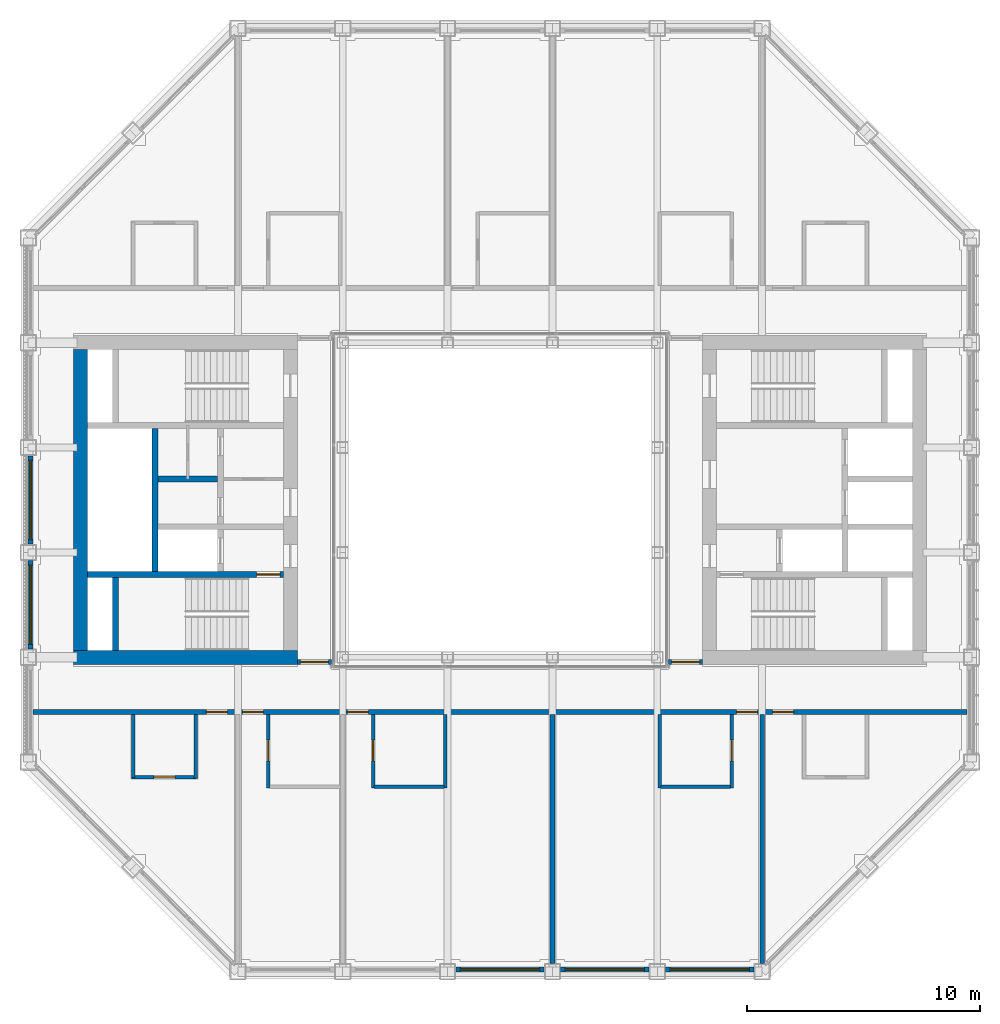
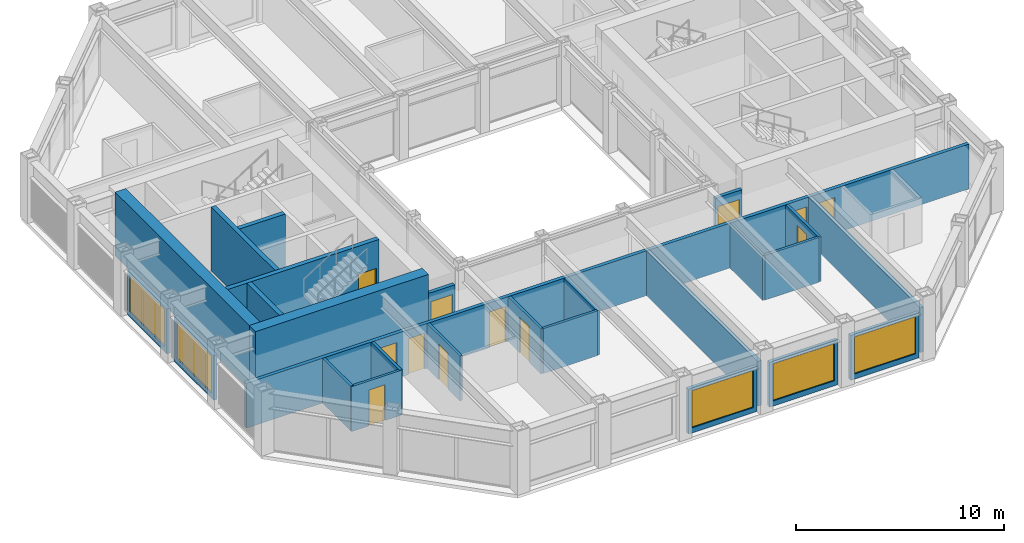
# One storey, part 9 of 16: 26 walls, 12 doors, 5 windows, 17 openings.
"""IFC4 building model written with IfcOpenShell, lengths in metres."""

from ifc_helpers import new_model, si_unit, direction, frame, frame_2d, origin, place, context, subcontext, project, spatial, rectangle, extrude, material, layer, layer_set, type_object, element, fill, save


model = new_model("IFC4")

# Units and contexts
model_context = context("Model", 3, precision=1e-05, world=origin(), true_north=direction((0.0, 1.0)))
body_context = subcontext(model_context, "Body", "Model", "MODEL_VIEW")
ifc_project = project(units=[si_unit("LENGTHUNIT", "METRE"), si_unit("AREAUNIT", "SQUARE_METRE"), si_unit("VOLUMEUNIT", "CUBIC_METRE"), si_unit("PLANEANGLEUNIT", "RADIAN"), si_unit("MASSUNIT", "GRAM", prefix="KILO")], contexts=[model_context])

# Site, building, storey
site_placement = place(None, origin())
site = spatial("IfcSite", under=ifc_project, at=site_placement, CompositionType="ELEMENT")
building_placement = place(site_placement, origin())
building = spatial("IfcBuilding", under=site, at=building_placement, Name="Msasa Ring Tower", CompositionType="ELEMENT")
storey_placement = place(building_placement, frame((0.0, 0.0, 219.550048828125)))
storey = spatial("IfcBuildingStorey", under=building, at=storey_placement, Name="L57", CompositionType="ELEMENT", Elevation=219.550048828125)

# Walls
ifc_material_1 = material(Name="Concrete C60/75", Category="concrete")
ifc_layer_1 = layer(ifc_material_1, 0.60009765625)
ifc_layer_set_1 = layer_set([ifc_layer_1], Name="CW3 CORE WALL 600")
wall_type_1 = type_object("IfcWallType", Name="CW3 CORE WALL 600", PredefinedType="SHEAR", material=ifc_layer_set_1)
wall_1_placement = place(storey_placement, frame((-8.699951171875, -6.75, 0.0), z_axis=(0.0, 0.0, 1.0), x_axis=(-1.0, 0.0, 0.0)))
element("IfcWall", 1, at=wall_1_placement, inside=storey, type_object=wall_type_1, Name="W core wall S L57", PredefinedType="SHEAR", context=body_context, shape_type="SweptSolid", body=[
    extrude(rectangle(XDim=9.60009765625, YDim=0.60009765625, at=frame_2d((4.800048828125, 0.0))), origin(), (0.0, 0.0, 1.0), 3.75),
])
wall_2_placement = place(storey_placement, frame((-18.0, -6.449951171875, 0.0), z_axis=(0.0, 0.0, 1.0), x_axis=(0.0, 1.0, 0.0)))
element("IfcWall", 2, at=wall_2_placement, inside=storey, type_object=wall_type_1, Name="W core wall E L57", PredefinedType="SHEAR", context=body_context, shape_type="SweptSolid", body=[
    extrude(rectangle(XDim=12.89990234375, YDim=0.60009765625, at=frame_2d((6.449951171875, 0.0))), origin(), (0.0, 0.0, 1.0), 3.75),
])

# Wall, opening, door
ifc_material_2 = material(Name="Concrete C60/75", Category="concrete")
ifc_layer_2 = layer(ifc_material_2, 0.25)
ifc_layer_set_2 = layer_set([ifc_layer_2], Name="CW4 CORE INNER WALL 250")
wall_type_2 = type_object("IfcWallType", Name="CW4 CORE INNER WALL 250", PredefinedType="SHEAR", material=ifc_layer_set_2)
wall_3_placement = place(storey_placement, frame((-9.300048828125, -3.199951171875, 0.0), z_axis=(0.0, 0.0, 1.0), x_axis=(-1.0, 0.0, 0.0)))
wall_3 = element("IfcWall", 3, at=wall_3_placement, inside=storey, type_object=wall_type_2, Name="W core wall STAIRA L57", PredefinedType="SHEAR", context=body_context, shape_type="SweptSolid", body=[
    extrude(rectangle(XDim=8.39990234375, YDim=0.25, at=frame_2d((4.199951171875, 0.0))), origin(), (0.0, 0.0, 1.0), 3.75),
])
opening_1_placement = place(wall_3_placement, frame((0.14990234375, 0.0, 0.0)))
opening_1 = element("IfcOpeningElement", 4, at=opening_1_placement, cuts=wall_3, Name="Opening SB-023", PredefinedType="OPENING", context=body_context, shape_type="SweptSolid", body=[
    extrude(rectangle(XDim=1.0, YDim=2.10009765625, at=frame_2d((0.5, 1.050048828125))), frame((0.0, 0.135009765625, 0.0), z_axis=(0.0, -1.0, 0.0), x_axis=(1.0, 0.0, 0.0)), (0.0, 0.0, 1.0), 0.27001953125),
])
ifc_material_3 = material(Name="Timber door leaf in a steel frame", Category="steel")
door_type_1 = type_object("IfcDoorType", Name="D6 STAIR DOOR 1000x2100", OperationType="SINGLE_SWING_LEFT", PredefinedType="DOOR", material=ifc_material_3)
door_1_placement = place(opening_1_placement, origin())
door_1 = element("IfcDoor", 5, at=door_1_placement, inside=storey, type_object=door_type_1, Name="Door L57-WSTA", OperationType="SINGLE_SWING_LEFT", OverallHeight=2.10009765625, OverallWidth=1.0, PredefinedType="DOOR", context=body_context, shape_type="SweptSolid", body=[
    extrude(rectangle(XDim=1.0, YDim=2.10009765625, at=frame_2d((0.5, 1.050048828125))), frame((0.0, 0.02490234375, 0.0), z_axis=(0.0, -1.0, 0.0), x_axis=(1.0, 0.0, 0.0)), (0.0, 0.0, 1.0), 0.050048828125),
])
fill(opening_1, door_1)

# Walls
wall_4_placement = place(storey_placement, frame((-16.5, -6.449951171875, 0.0), z_axis=(0.0, 0.0, 1.0), x_axis=(0.0, 1.0, 0.0)))
element("IfcWall", 6, at=wall_4_placement, inside=storey, type_object=wall_type_2, Name="W core wall RISERA L57", PredefinedType="SHEAR", context=body_context, shape_type="SweptSolid", body=[
    extrude(rectangle(XDim=3.125, YDim=0.25, at=frame_2d((1.5625, 0.0))), origin(), (0.0, 0.0, 1.0), 3.75),
])
wall_5_placement = place(storey_placement, frame((-14.800048828125, -3.074951171875, 0.0), z_axis=(0.0, 0.0, 1.0), x_axis=(0.0, 1.0, 0.0)))
element("IfcWall", 7, at=wall_5_placement, inside=storey, type_object=wall_type_2, Name="W core wall SHAFT L57", PredefinedType="SHEAR", context=body_context, shape_type="SweptSolid", body=[
    extrude(rectangle(XDim=6.14990234375, YDim=0.25, at=frame_2d((3.074951171875, 0.0))), origin(), (0.0, 0.0, 1.0), 3.75),
])
wall_6_placement = place(storey_placement, frame((-12.125, 0.89990234375, 0.0), z_axis=(0.0, 0.0, 1.0), x_axis=(-1.0, 0.0, 0.0)))
element("IfcWall", 8, at=wall_6_placement, inside=storey, type_object=wall_type_2, Name="W core wall LIFT1 L57", PredefinedType="SHEAR", context=body_context, shape_type="SweptSolid", body=[
    extrude(rectangle(XDim=2.550048828125, YDim=0.25, at=frame_2d((1.27490234375, 0.0))), origin(), (0.0, 0.0, 1.0), 3.75),
])

# Wall, opening, window
ifc_material_4 = material(Name="Terracotta rainscreen on blockwork", Category="masonry")
ifc_layer_3 = layer(ifc_material_4, 0.199951171875)
ifc_layer_set_3 = layer_set([ifc_layer_3], Name="FW1 TERRACOTTA-LINED INFILL BAY WALL 200")
wall_type_3 = type_object("IfcWallType", Name="FW1 TERRACOTTA-LINED INFILL BAY WALL 200", PredefinedType="SOLIDWALL", material=ifc_layer_set_3)
wall_7_placement = place(storey_placement, frame((-1.89501953125, -20.14990234375, 0.0), z_axis=(0.0, 0.0, 1.0), x_axis=(1.0, 0.0, 0.0)))
wall_7 = element("IfcWall", 9, at=wall_7_placement, inside=storey, type_object=wall_type_3, Name="Infill bay wall S L57 02", PredefinedType="SOLIDWALL", context=body_context, shape_type="SweptSolid", body=[
    extrude(rectangle(XDim=3.7900390625, YDim=0.199951171875, at=frame_2d((1.89501953125, 0.0))), origin(), (0.0, 0.0, 1.0), 2.62890625),
])
opening_2_placement = place(wall_7_placement, frame((0.195068359375, 0.0, 0.300048828125)))
opening_2 = element("IfcOpeningElement", 10, at=opening_2_placement, cuts=wall_7, Name="Opening WN3", PredefinedType="OPENING", context=body_context, shape_type="SweptSolid", body=[
    extrude(rectangle(XDim=3.39990234375, YDim=2.178955078125, at=frame_2d((1.699951171875, 1.08935546875))), frame((0.0, 0.10986328125, 0.0), z_axis=(0.0, -1.0, 0.0), x_axis=(1.0, 0.0, 0.0)), (0.0, 0.0, 1.0), 0.219970703125),
])
ifc_material_5 = material(Name="Aluminium frame with clear glass", Category="aluminium")
window_type = type_object("IfcWindowType", Name="WN3 SUITE WINDOW 3400x2179", PartitioningType="SINGLE_PANEL", PredefinedType="WINDOW", material=ifc_material_5)
window_1_placement = place(opening_2_placement, origin())
window_1 = element("IfcWindow", 11, at=window_1_placement, inside=storey, type_object=window_type, Name="Window S L57 02", OverallHeight=2.178955078125, OverallWidth=3.39990234375, PartitioningType="SINGLE_PANEL", PredefinedType="WINDOW", context=body_context, shape_type="SweptSolid", body=[
    extrude(rectangle(XDim=3.39990234375, YDim=2.178955078125, at=frame_2d((1.699951171875, 1.08935546875))), frame((0.0, 0.030029296875, 0.0), z_axis=(0.0, -1.0, 0.0), x_axis=(1.0, 0.0, 0.0)), (0.0, 0.0, 1.0), 0.06005859375),
])
fill(opening_2, window_1)

wall_8_placement = place(storey_placement, frame((2.60498046875, -20.14990234375, 0.0), z_axis=(0.0, 0.0, 1.0), x_axis=(1.0, 0.0, 0.0)))
wall_8 = element("IfcWall", 12, at=wall_8_placement, inside=storey, type_object=wall_type_3, Name="Infill bay wall S L57 03", PredefinedType="SOLIDWALL", context=body_context, shape_type="SweptSolid", body=[
    extrude(rectangle(XDim=3.7900390625, YDim=0.199951171875, at=frame_2d((1.89501953125, 0.0))), origin(), (0.0, 0.0, 1.0), 2.62890625),
])
opening_3_placement = place(wall_8_placement, frame((0.195068359375, 0.0, 0.300048828125)))
opening_3 = element("IfcOpeningElement", 13, at=opening_3_placement, cuts=wall_8, Name="Opening WN3", PredefinedType="OPENING", context=body_context, shape_type="SweptSolid", body=[
    extrude(rectangle(XDim=3.39990234375, YDim=2.178955078125, at=frame_2d((1.699951171875, 1.08935546875))), frame((0.0, 0.10986328125, 0.0), z_axis=(0.0, -1.0, 0.0), x_axis=(1.0, 0.0, 0.0)), (0.0, 0.0, 1.0), 0.219970703125),
])
window_2_placement = place(opening_3_placement, origin())
window_2 = element("IfcWindow", 14, at=window_2_placement, inside=storey, type_object=window_type, Name="Window S L57 03", OverallHeight=2.178955078125, OverallWidth=3.39990234375, PartitioningType="SINGLE_PANEL", PredefinedType="WINDOW", context=body_context, shape_type="SweptSolid", body=[
    extrude(rectangle(XDim=3.39990234375, YDim=2.178955078125, at=frame_2d((1.699951171875, 1.08935546875))), frame((0.0, 0.030029296875, 0.0), z_axis=(0.0, -1.0, 0.0), x_axis=(1.0, 0.0, 0.0)), (0.0, 0.0, 1.0), 0.06005859375),
])
fill(opening_3, window_2)

wall_9_placement = place(storey_placement, frame((7.10498046875, -20.14990234375, 0.0), z_axis=(0.0, 0.0, 1.0), x_axis=(1.0, 0.0, 0.0)))
wall_9 = element("IfcWall", 15, at=wall_9_placement, inside=storey, type_object=wall_type_3, Name="Infill bay wall S L57 04", PredefinedType="SOLIDWALL", context=body_context, shape_type="SweptSolid", body=[
    extrude(rectangle(XDim=3.7900390625, YDim=0.199951171875, at=frame_2d((1.89501953125, 0.0))), origin(), (0.0, 0.0, 1.0), 2.62890625),
])
opening_4_placement = place(wall_9_placement, frame((0.195068359375, 0.0, 0.300048828125)))
opening_4 = element("IfcOpeningElement", 16, at=opening_4_placement, cuts=wall_9, Name="Opening WN3", PredefinedType="OPENING", context=body_context, shape_type="SweptSolid", body=[
    extrude(rectangle(XDim=3.39990234375, YDim=2.178955078125, at=frame_2d((1.699951171875, 1.08935546875))), frame((0.0, 0.10986328125, 0.0), z_axis=(0.0, -1.0, 0.0), x_axis=(1.0, 0.0, 0.0)), (0.0, 0.0, 1.0), 0.219970703125),
])
window_3_placement = place(opening_4_placement, origin())
window_3 = element("IfcWindow", 17, at=window_3_placement, inside=storey, type_object=window_type, Name="Window S L57 04", OverallHeight=2.178955078125, OverallWidth=3.39990234375, PartitioningType="SINGLE_PANEL", PredefinedType="WINDOW", context=body_context, shape_type="SweptSolid", body=[
    extrude(rectangle(XDim=3.39990234375, YDim=2.178955078125, at=frame_2d((1.699951171875, 1.08935546875))), frame((0.0, 0.030029296875, 0.0), z_axis=(0.0, -1.0, 0.0), x_axis=(1.0, 0.0, 0.0)), (0.0, 0.0, 1.0), 0.06005859375),
])
fill(opening_4, window_3)

wall_10_placement = place(storey_placement, frame((-20.14990234375, -6.39501953125, 0.0), z_axis=(0.0, 0.0, 1.0), x_axis=(0.0, 1.0, 0.0)))
wall_10 = element("IfcWall", 18, at=wall_10_placement, inside=storey, type_object=wall_type_3, Name="Infill bay wall W L57 22", PredefinedType="SOLIDWALL", context=body_context, shape_type="SweptSolid", body=[
    extrude(rectangle(XDim=3.7900390625, YDim=0.199951171875, at=frame_2d((1.89501953125, 0.0))), origin(), (0.0, 0.0, 1.0), 2.62890625),
])
opening_5_placement = place(wall_10_placement, frame((0.195068359375, 0.0, 0.300048828125)))
opening_5 = element("IfcOpeningElement", 19, at=opening_5_placement, cuts=wall_10, Name="Opening WN3", PredefinedType="OPENING", context=body_context, shape_type="SweptSolid", body=[
    extrude(rectangle(XDim=3.39990234375, YDim=2.178955078125, at=frame_2d((1.699951171875, 1.08935546875))), frame((0.0, 0.10986328125, 0.0), z_axis=(0.0, -1.0, 0.0), x_axis=(1.0, 0.0, 0.0)), (0.0, 0.0, 1.0), 0.219970703125),
])
window_4_placement = place(opening_5_placement, origin())
window_4 = element("IfcWindow", 20, at=window_4_placement, inside=storey, type_object=window_type, Name="Window W L57 22", OverallHeight=2.178955078125, OverallWidth=3.39990234375, PartitioningType="SINGLE_PANEL", PredefinedType="WINDOW", context=body_context, shape_type="SweptSolid", body=[
    extrude(rectangle(XDim=3.39990234375, YDim=2.178955078125, at=frame_2d((1.699951171875, 1.08935546875))), frame((0.0, 0.030029296875, 0.0), z_axis=(0.0, -1.0, 0.0), x_axis=(1.0, 0.0, 0.0)), (0.0, 0.0, 1.0), 0.06005859375),
])
fill(opening_5, window_4)

wall_11_placement = place(storey_placement, frame((-20.14990234375, -1.89501953125, 0.0), z_axis=(0.0, 0.0, 1.0), x_axis=(0.0, 1.0, 0.0)))
wall_11 = element("IfcWall", 21, at=wall_11_placement, inside=storey, type_object=wall_type_3, Name="Infill bay wall W L57 23", PredefinedType="SOLIDWALL", context=body_context, shape_type="SweptSolid", body=[
    extrude(rectangle(XDim=3.7900390625, YDim=0.199951171875, at=frame_2d((1.89501953125, 0.0))), origin(), (0.0, 0.0, 1.0), 2.62890625),
])
opening_6_placement = place(wall_11_placement, frame((0.195068359375, 0.0, 0.300048828125)))
opening_6 = element("IfcOpeningElement", 22, at=opening_6_placement, cuts=wall_11, Name="Opening WN3", PredefinedType="OPENING", context=body_context, shape_type="SweptSolid", body=[
    extrude(rectangle(XDim=3.39990234375, YDim=2.178955078125, at=frame_2d((1.699951171875, 1.08935546875))), frame((0.0, 0.10986328125, 0.0), z_axis=(0.0, -1.0, 0.0), x_axis=(1.0, 0.0, 0.0)), (0.0, 0.0, 1.0), 0.219970703125),
])
window_5_placement = place(opening_6_placement, origin())
window_5 = element("IfcWindow", 23, at=window_5_placement, inside=storey, type_object=window_type, Name="Window W L57 23", OverallHeight=2.178955078125, OverallWidth=3.39990234375, PartitioningType="SINGLE_PANEL", PredefinedType="WINDOW", context=body_context, shape_type="SweptSolid", body=[
    extrude(rectangle(XDim=3.39990234375, YDim=2.178955078125, at=frame_2d((1.699951171875, 1.08935546875))), frame((0.0, 0.030029296875, 0.0), z_axis=(0.0, -1.0, 0.0), x_axis=(1.0, 0.0, 0.0)), (0.0, 0.0, 1.0), 0.06005859375),
])
fill(opening_6, window_5)

# Wall, opening, door
ifc_material_6 = material(Name="Concrete blockwork", Category="masonry")
ifc_layer_4 = layer(ifc_material_6, 0.199951171875)
ifc_layer_set_4 = layer_set([ifc_layer_4], Name="PT1 CORRIDOR WALL 200")
wall_type_4 = type_object("IfcWallType", Name="PT1 CORRIDOR WALL 200", PredefinedType="PARTITIONING", material=ifc_layer_set_4)
wall_12_placement = place(storey_placement, frame((7.22998046875, -6.949951171875, 0.0), z_axis=(0.0, 0.0, 1.0), x_axis=(1.0, 0.0, 0.0)))
wall_12 = element("IfcWall", 24, at=wall_12_placement, inside=storey, type_object=wall_type_4, Name="Corridor wall L57-SDES", PredefinedType="PARTITIONING", context=body_context, shape_type="SweptSolid", body=[
    extrude(rectangle(XDim=1.469970703125, YDim=0.199951171875, at=frame_2d((0.73486328125, 0.0))), origin(), (0.0, 0.0, 1.0), 2.62890625),
])
opening_7_placement = place(wall_12_placement, frame((0.135009765625, 0.0, 0.0)))
opening_7 = element("IfcOpeningElement", 25, at=opening_7_placement, cuts=wall_12, Name="Opening SB-026", PredefinedType="OPENING", context=body_context, shape_type="SweptSolid", body=[
    extrude(rectangle(XDim=1.199951171875, YDim=2.10009765625, at=frame_2d((0.60009765625, 1.050048828125))), frame((0.0, 0.10986328125, 0.0), z_axis=(0.0, -1.0, 0.0), x_axis=(1.0, 0.0, 0.0)), (0.0, 0.0, 1.0), 0.219970703125),
])
ifc_material_7 = material(Name="Timber door leaf in a steel frame", Category="steel")
door_type_2 = type_object("IfcDoorType", Name="D25 CORRIDOR PAIR OF SMOKE DOORS 1200x2100", OperationType="DOUBLE_DOOR_DOUBLE_SWING", PredefinedType="DOOR", material=ifc_material_7)
door_2_placement = place(opening_7_placement, origin())
door_2 = element("IfcDoor", 26, at=door_2_placement, inside=storey, type_object=door_type_2, Name="Door L57-SDES", OperationType="DOUBLE_DOOR_DOUBLE_SWING", OverallHeight=2.10009765625, OverallWidth=1.199951171875, PredefinedType="DOOR", context=body_context, shape_type="SweptSolid", body=[
    extrude(rectangle(XDim=1.199951171875, YDim=2.10009765625, at=frame_2d((0.60009765625, 1.050048828125))), frame((0.0, 0.02490234375, 0.0), z_axis=(0.0, -1.0, 0.0), x_axis=(1.0, 0.0, 0.0)), (0.0, 0.0, 1.0), 0.050048828125),
])
fill(opening_7, door_2)

wall_13_placement = place(storey_placement, frame((-8.699951171875, -6.949951171875, 0.0), z_axis=(0.0, 0.0, 1.0), x_axis=(1.0, 0.0, 0.0)))
wall_13 = element("IfcWall", 27, at=wall_13_placement, inside=storey, type_object=wall_type_4, Name="Corridor wall L57-SDWS", PredefinedType="PARTITIONING", context=body_context, shape_type="SweptSolid", body=[
    extrude(rectangle(XDim=1.469970703125, YDim=0.199951171875, at=frame_2d((0.73486328125, 0.0))), origin(), (0.0, 0.0, 1.0), 2.62890625),
])
opening_8_placement = place(wall_13_placement, frame((0.135009765625, 0.0, 0.0)))
opening_8 = element("IfcOpeningElement", 28, at=opening_8_placement, cuts=wall_13, Name="Opening SB-025", PredefinedType="OPENING", context=body_context, shape_type="SweptSolid", body=[
    extrude(rectangle(XDim=1.199951171875, YDim=2.10009765625, at=frame_2d((0.60009765625, 1.050048828125))), frame((0.0, 0.10986328125, 0.0), z_axis=(0.0, -1.0, 0.0), x_axis=(1.0, 0.0, 0.0)), (0.0, 0.0, 1.0), 0.219970703125),
])
door_3_placement = place(opening_8_placement, origin())
door_3 = element("IfcDoor", 29, at=door_3_placement, inside=storey, type_object=door_type_2, Name="Door L57-SDWS", OperationType="DOUBLE_DOOR_DOUBLE_SWING", OverallHeight=2.10009765625, OverallWidth=1.199951171875, PredefinedType="DOOR", context=body_context, shape_type="SweptSolid", body=[
    extrude(rectangle(XDim=1.199951171875, YDim=2.10009765625, at=frame_2d((0.60009765625, 1.050048828125))), frame((0.0, 0.02490234375, 0.0), z_axis=(0.0, -1.0, 0.0), x_axis=(1.0, 0.0, 0.0)), (0.0, 0.0, 1.0), 0.050048828125),
])
fill(opening_8, door_3)

# Wall, openings, doors
wall_14_placement = place(storey_placement, frame((-20.050048828125, -9.10009765625, 0.0), z_axis=(0.0, 0.0, 1.0), x_axis=(1.0, 0.0, 0.0)))
wall_14 = element("IfcWall", 30, at=wall_14_placement, inside=storey, type_object=wall_type_4, Name="Corridor wall L57-CORRS0", PredefinedType="PARTITIONING", context=body_context, shape_type="SweptSolid", body=[
    extrude(rectangle(XDim=40.10009765625, YDim=0.199951171875, at=frame_2d((20.050048828125, 0.0))), origin(), (0.0, 0.0, 1.0), 2.62890625),
])
opening_9_placement = place(wall_14_placement, frame((9.0, 0.0, 0.0)))
opening_9 = element("IfcOpeningElement", 31, at=opening_9_placement, cuts=wall_14, Name="Opening SB-028", PredefinedType="OPENING", context=body_context, shape_type="SweptSolid", body=[
    extrude(rectangle(XDim=0.89990234375, YDim=2.10009765625, at=frame_2d((0.449951171875, 1.050048828125))), frame((0.0, 0.10986328125, 0.0), z_axis=(0.0, -1.0, 0.0), x_axis=(1.0, 0.0, 0.0)), (0.0, 0.0, 1.0), 0.219970703125),
])
opening_10_placement = place(wall_14_placement, frame((13.5, 0.0, 0.0)))
opening_10 = element("IfcOpeningElement", 32, at=opening_10_placement, cuts=wall_14, Name="Opening SB-029", PredefinedType="OPENING", context=body_context, shape_type="SweptSolid", body=[
    extrude(rectangle(XDim=0.89990234375, YDim=2.10009765625, at=frame_2d((0.449951171875, 1.050048828125))), frame((0.0, 0.10986328125, 0.0), z_axis=(0.0, -1.0, 0.0), x_axis=(1.0, 0.0, 0.0)), (0.0, 0.0, 1.0), 0.219970703125),
])
opening_11_placement = place(wall_14_placement, frame((30.199951171875, 0.0, 0.0)))
opening_11 = element("IfcOpeningElement", 33, at=opening_11_placement, cuts=wall_14, Name="Opening SB-030", PredefinedType="OPENING", context=body_context, shape_type="SweptSolid", body=[
    extrude(rectangle(XDim=0.89990234375, YDim=2.10009765625, at=frame_2d((0.449951171875, 1.050048828125))), frame((0.0, 0.10986328125, 0.0), z_axis=(0.0, -1.0, 0.0), x_axis=(1.0, 0.0, 0.0)), (0.0, 0.0, 1.0), 0.219970703125),
])
opening_12_placement = place(wall_14_placement, frame((31.75, 0.0, 0.0)))
opening_12 = element("IfcOpeningElement", 34, at=opening_12_placement, cuts=wall_14, Name="Opening SB-031", PredefinedType="OPENING", context=body_context, shape_type="SweptSolid", body=[
    extrude(rectangle(XDim=0.89990234375, YDim=2.10009765625, at=frame_2d((0.449951171875, 1.050048828125))), frame((0.0, 0.10986328125, 0.0), z_axis=(0.0, -1.0, 0.0), x_axis=(1.0, 0.0, 0.0)), (0.0, 0.0, 1.0), 0.219970703125),
])
opening_13_placement = place(wall_14_placement, frame((7.449951171875, 0.0, 0.0)))
opening_13 = element("IfcOpeningElement", 35, at=opening_13_placement, cuts=wall_14, Name="Opening SB-027", PredefinedType="OPENING", context=body_context, shape_type="SweptSolid", body=[
    extrude(rectangle(XDim=0.89990234375, YDim=2.10009765625, at=frame_2d((0.449951171875, 1.050048828125))), frame((0.0, 0.10986328125, 0.0), z_axis=(0.0, -1.0, 0.0), x_axis=(1.0, 0.0, 0.0)), (0.0, 0.0, 1.0), 0.219970703125),
])
ifc_material_8 = material(Name="Timber door leaf in a steel frame", Category="steel")
door_type_3 = type_object("IfcDoorType", Name="D1 SINGLE DOOR TO CORRIDOR 900x2100", OperationType="SINGLE_SWING_LEFT", PredefinedType="DOOR", material=ifc_material_8)
door_4_placement = place(opening_9_placement, origin())
door_4 = element("IfcDoor", 36, at=door_4_placement, inside=storey, type_object=door_type_3, Name="Door L57-JS00", OperationType="SINGLE_SWING_LEFT", OverallHeight=2.10009765625, OverallWidth=0.89990234375, PredefinedType="DOOR", context=body_context, shape_type="SweptSolid", body=[
    extrude(rectangle(XDim=0.89990234375, YDim=2.10009765625, at=frame_2d((0.449951171875, 1.050048828125))), frame((0.0, 0.02490234375, 0.0), z_axis=(0.0, -1.0, 0.0), x_axis=(1.0, 0.0, 0.0)), (0.0, 0.0, 1.0), 0.050048828125),
])
fill(opening_9, door_4)
door_5_placement = place(opening_10_placement, origin())
door_5 = element("IfcDoor", 37, at=door_5_placement, inside=storey, type_object=door_type_3, Name="Door L57-JS01", OperationType="SINGLE_SWING_LEFT", OverallHeight=2.10009765625, OverallWidth=0.89990234375, PredefinedType="DOOR", context=body_context, shape_type="SweptSolid", body=[
    extrude(rectangle(XDim=0.89990234375, YDim=2.10009765625, at=frame_2d((0.449951171875, 1.050048828125))), frame((0.0, 0.02490234375, 0.0), z_axis=(0.0, -1.0, 0.0), x_axis=(1.0, 0.0, 0.0)), (0.0, 0.0, 1.0), 0.050048828125),
])
fill(opening_10, door_5)
door_6_placement = place(opening_11_placement, origin())
door_6 = element("IfcDoor", 38, at=door_6_placement, inside=storey, type_object=door_type_3, Name="Door L57-JS02", OperationType="SINGLE_SWING_RIGHT", OverallHeight=2.10009765625, OverallWidth=0.89990234375, PredefinedType="DOOR", context=body_context, shape_type="SweptSolid", body=[
    extrude(rectangle(XDim=0.89990234375, YDim=2.10009765625, at=frame_2d((0.449951171875, 1.050048828125))), frame((0.0, 0.02490234375, 0.0), z_axis=(0.0, -1.0, 0.0), x_axis=(1.0, 0.0, 0.0)), (0.0, 0.0, 1.0), 0.050048828125),
])
fill(opening_11, door_6)
ifc_material_9 = material(Name="Timber door leaf in a steel frame", Category="steel")
door_type_4 = type_object("IfcDoorType", Name="D2 ENTRANCE DOOR 900x2100", OperationType="SINGLE_SWING_LEFT", PredefinedType="DOOR", material=ifc_material_9)
door_7_placement = place(opening_12_placement, origin())
door_7 = element("IfcDoor", 39, at=door_7_placement, inside=storey, type_object=door_type_4, Name="Door L57-CSSE", OperationType="SINGLE_SWING_RIGHT", OverallHeight=2.10009765625, OverallWidth=0.89990234375, PredefinedType="DOOR", context=body_context, shape_type="SweptSolid", body=[
    extrude(rectangle(XDim=0.89990234375, YDim=2.10009765625, at=frame_2d((0.449951171875, 1.050048828125))), frame((0.0, 0.02490234375, 0.0), z_axis=(0.0, -1.0, 0.0), x_axis=(1.0, 0.0, 0.0)), (0.0, 0.0, 1.0), 0.050048828125),
])
fill(opening_12, door_7)
door_8_placement = place(opening_13_placement, origin())
door_8 = element("IfcDoor", 40, at=door_8_placement, inside=storey, type_object=door_type_4, Name="Door L57-CSSW", OperationType="SINGLE_SWING_LEFT", OverallHeight=2.10009765625, OverallWidth=0.89990234375, PredefinedType="DOOR", context=body_context, shape_type="SweptSolid", body=[
    extrude(rectangle(XDim=0.89990234375, YDim=2.10009765625, at=frame_2d((0.449951171875, 1.050048828125))), frame((0.0, 0.02490234375, 0.0), z_axis=(0.0, -1.0, 0.0), x_axis=(1.0, 0.0, 0.0)), (0.0, 0.0, 1.0), 0.050048828125),
])
fill(opening_13, door_8)

# Walls
ifc_material_10 = material(Name="Dense concrete blockwork, plastered both faces", Category="masonry")
ifc_layer_5 = layer(ifc_material_10, 0.25)
ifc_layer_set_5 = layer_set([ifc_layer_5], Name="PT3 APARTMENT SEPARATING WALL 250")
wall_type_5 = type_object("IfcWallType", Name="PT3 APARTMENT SEPARATING WALL 250", PredefinedType="PARTITIONING", material=ifc_layer_set_5)
for number, where, z_axis, x_axis, name in (
    (41, (2.25, -19.89990234375, 0.0), (0.0, 0.0, 1.0), (0.0, 1.0, 0.0), "Party wall L57-PWS+2.25"),
    (42, (11.25, -19.89990234375, 0.0), (0.0, 0.0, 1.0), (0.0, 1.0, 0.0), "Party wall L57-PWS+11.25"),
):
    element("IfcWall", number, at=place(storey_placement, frame(where, z_axis=z_axis, x_axis=x_axis)), inside=storey, type_object=wall_type_5, Name=name, PredefinedType="PARTITIONING", context=body_context, shape_type="SweptSolid", body=[
        extrude(rectangle(XDim=10.699951171875, YDim=0.199951171875, at=frame_2d((5.35009765625, 0.0))), origin(), (0.0, 0.0, 1.0), 2.62890625),
    ])

# Wall, opening, door
ifc_material_11 = material(Name="Moisture-resistant board on steel studs with a concealed cistern and pipe void, tiled", Category="steel")
ifc_layer_6 = layer(ifc_material_11, 0.14990234375)
ifc_layer_set_6 = layer_set([ifc_layer_6], Name="PT4 BATHROOM WET WALL 150")
wall_type_6 = type_object("IfcWallType", Name="PT4 BATHROOM WET WALL 150", PredefinedType="PARTITIONING", material=ifc_layer_set_6)
wall_15_placement = place(storey_placement, frame((-9.949951171875, -12.35009765625, 0.0), z_axis=(0.0, 0.0, 1.0), x_axis=(0.0, 1.0, 0.0)))
wall_15 = element("IfcWall", 43, at=wall_15_placement, inside=storey, type_object=wall_type_6, Name="Partition L57-JS00BX", PredefinedType="PARTITIONING", context=body_context, shape_type="SweptSolid", body=[
    extrude(rectangle(XDim=3.150146484375, YDim=0.14990234375, at=frame_2d((1.5751953125, 0.0))), origin(), (0.0, 0.0, 1.0), 2.62890625),
])
opening_14_placement = place(wall_15_placement, frame((1.14990234375, 0.0, 0.0)))
opening_14 = element("IfcOpeningElement", 44, at=opening_14_placement, cuts=wall_15, Name="Opening SB-032", PredefinedType="OPENING", context=body_context, shape_type="SweptSolid", body=[
    extrude(rectangle(XDim=0.89990234375, YDim=2.10009765625, at=frame_2d((0.449951171875, 1.050048828125))), frame((0.0, 0.0849609375, 0.0), z_axis=(0.0, -1.0, 0.0), x_axis=(1.0, 0.0, 0.0)), (0.0, 0.0, 1.0), 0.169921875),
])
ifc_material_12 = material(Name="Timber door leaf in a steel frame", Category="steel")
door_type_5 = type_object("IfcDoorType", Name="D3 BATHROOM DOOR 900x2100", OperationType="SINGLE_SWING_LEFT", PredefinedType="DOOR", material=ifc_material_12)
door_9_placement = place(opening_14_placement, origin())
door_9 = element("IfcDoor", 45, at=door_9_placement, inside=storey, type_object=door_type_5, Name="Door L57-JS00B", OperationType="SINGLE_SWING_LEFT", OverallHeight=2.10009765625, OverallWidth=0.89990234375, PredefinedType="DOOR", context=body_context, shape_type="SweptSolid", body=[
    extrude(rectangle(XDim=0.89990234375, YDim=2.10009765625, at=frame_2d((0.449951171875, 1.050048828125))), frame((0.0, 0.02490234375, 0.0), z_axis=(0.0, -1.0, 0.0), x_axis=(1.0, 0.0, 0.0)), (0.0, 0.0, 1.0), 0.050048828125),
])
fill(opening_14, door_9)

wall_16_placement = place(storey_placement, frame((-5.449951171875, -12.35009765625, 0.0), z_axis=(0.0, 0.0, 1.0), x_axis=(0.0, 1.0, 0.0)))
wall_16 = element("IfcWall", 46, at=wall_16_placement, inside=storey, type_object=wall_type_6, Name="Partition L57-JS01BX", PredefinedType="PARTITIONING", context=body_context, shape_type="SweptSolid", body=[
    extrude(rectangle(XDim=3.150146484375, YDim=0.14990234375, at=frame_2d((1.5751953125, 0.0))), origin(), (0.0, 0.0, 1.0), 2.62890625),
])
opening_15_placement = place(wall_16_placement, frame((1.14990234375, 0.0, 0.0)))
opening_15 = element("IfcOpeningElement", 47, at=opening_15_placement, cuts=wall_16, Name="Opening SB-033", PredefinedType="OPENING", context=body_context, shape_type="SweptSolid", body=[
    extrude(rectangle(XDim=0.89990234375, YDim=2.10009765625, at=frame_2d((0.449951171875, 1.050048828125))), frame((0.0, 0.0849609375, 0.0), z_axis=(0.0, -1.0, 0.0), x_axis=(1.0, 0.0, 0.0)), (0.0, 0.0, 1.0), 0.169921875),
])
door_10_placement = place(opening_15_placement, origin())
door_10 = element("IfcDoor", 48, at=door_10_placement, inside=storey, type_object=door_type_5, Name="Door L57-JS01B", OperationType="SINGLE_SWING_LEFT", OverallHeight=2.10009765625, OverallWidth=0.89990234375, PredefinedType="DOOR", context=body_context, shape_type="SweptSolid", body=[
    extrude(rectangle(XDim=0.89990234375, YDim=2.10009765625, at=frame_2d((0.449951171875, 1.050048828125))), frame((0.0, 0.02490234375, 0.0), z_axis=(0.0, -1.0, 0.0), x_axis=(1.0, 0.0, 0.0)), (0.0, 0.0, 1.0), 0.050048828125),
])
fill(opening_15, door_10)

# Walls
wall_17_placement = place(storey_placement, frame((-2.35009765625, -12.35009765625, 0.0), z_axis=(0.0, 0.0, 1.0), x_axis=(0.0, 1.0, 0.0)))
element("IfcWall", 49, at=wall_17_placement, inside=storey, type_object=wall_type_6, Name="Partition L57-JS01BF", PredefinedType="PARTITIONING", context=body_context, shape_type="SweptSolid", body=[
    extrude(rectangle(XDim=3.150146484375, YDim=0.14990234375, at=frame_2d((1.5751953125, 0.0))), origin(), (0.0, 0.0, 1.0), 2.62890625),
])
wall_18_placement = place(storey_placement, frame((-5.39990234375, -12.300048828125, 0.0), z_axis=(0.0, 0.0, 1.0), x_axis=(1.0, 0.0, 0.0)))
element("IfcWall", 50, at=wall_18_placement, inside=storey, type_object=wall_type_6, Name="Partition L57-JS01BY", PredefinedType="PARTITIONING", context=body_context, shape_type="SweptSolid", body=[
    extrude(rectangle(XDim=3.0, YDim=0.14990234375, at=frame_2d((1.5, 0.0))), origin(), (0.0, 0.0, 1.0), 2.62890625),
])

# Wall, opening, door
wall_19_placement = place(storey_placement, frame((9.949951171875, -12.35009765625, 0.0), z_axis=(0.0, 0.0, 1.0), x_axis=(0.0, 1.0, 0.0)))
wall_19 = element("IfcWall", 51, at=wall_19_placement, inside=storey, type_object=wall_type_6, Name="Partition L57-JS02BX", PredefinedType="PARTITIONING", context=body_context, shape_type="SweptSolid", body=[
    extrude(rectangle(XDim=3.150146484375, YDim=0.14990234375, at=frame_2d((1.5751953125, 0.0))), origin(), (0.0, 0.0, 1.0), 2.62890625),
])
opening_16_placement = place(wall_19_placement, frame((1.14990234375, 0.0, 0.0)))
opening_16 = element("IfcOpeningElement", 52, at=opening_16_placement, cuts=wall_19, Name="Opening SB-034", PredefinedType="OPENING", context=body_context, shape_type="SweptSolid", body=[
    extrude(rectangle(XDim=0.89990234375, YDim=2.10009765625, at=frame_2d((0.449951171875, 1.050048828125))), frame((0.0, 0.0849609375, 0.0), z_axis=(0.0, -1.0, 0.0), x_axis=(1.0, 0.0, 0.0)), (0.0, 0.0, 1.0), 0.169921875),
])
door_11_placement = place(opening_16_placement, origin())
door_11 = element("IfcDoor", 53, at=door_11_placement, inside=storey, type_object=door_type_5, Name="Door L57-JS02B", OperationType="SINGLE_SWING_LEFT", OverallHeight=2.10009765625, OverallWidth=0.89990234375, PredefinedType="DOOR", context=body_context, shape_type="SweptSolid", body=[
    extrude(rectangle(XDim=0.89990234375, YDim=2.10009765625, at=frame_2d((0.449951171875, 1.050048828125))), frame((0.0, 0.02490234375, 0.0), z_axis=(0.0, -1.0, 0.0), x_axis=(1.0, 0.0, 0.0)), (0.0, 0.0, 1.0), 0.050048828125),
])
fill(opening_16, door_11)

# Walls
wall_20_placement = place(storey_placement, frame((6.85009765625, -12.35009765625, 0.0), z_axis=(0.0, 0.0, 1.0), x_axis=(0.0, 1.0, 0.0)))
element("IfcWall", 54, at=wall_20_placement, inside=storey, type_object=wall_type_6, Name="Partition L57-JS02BF", PredefinedType="PARTITIONING", context=body_context, shape_type="SweptSolid", body=[
    extrude(rectangle(XDim=3.150146484375, YDim=0.14990234375, at=frame_2d((1.5751953125, 0.0))), origin(), (0.0, 0.0, 1.0), 2.62890625),
])
wall_21_placement = place(storey_placement, frame((6.89990234375, -12.300048828125, 0.0), z_axis=(0.0, 0.0, 1.0), x_axis=(1.0, 0.0, 0.0)))
element("IfcWall", 55, at=wall_21_placement, inside=storey, type_object=wall_type_6, Name="Partition L57-JS02BY", PredefinedType="PARTITIONING", context=body_context, shape_type="SweptSolid", body=[
    extrude(rectangle(XDim=3.0, YDim=0.14990234375, at=frame_2d((1.5, 0.0))), origin(), (0.0, 0.0, 1.0), 2.62890625),
])
wall_22_placement = place(storey_placement, frame((-13.050048828125, -11.949951171875, 0.0), z_axis=(0.0, 0.0, 1.0), x_axis=(0.0, 1.0, 0.0)))
element("IfcWall", 56, at=wall_22_placement, inside=storey, type_object=wall_type_6, Name="Partition L57-CSSWBX", PredefinedType="PARTITIONING", context=body_context, shape_type="SweptSolid", body=[
    extrude(rectangle(XDim=2.75, YDim=0.14990234375, at=frame_2d((1.375, 0.0))), origin(), (0.0, 0.0, 1.0), 2.62890625),
])

# Wall, opening, door
wall_23_placement = place(storey_placement, frame((-15.824951171875, -11.89990234375, 0.0), z_axis=(0.0, 0.0, 1.0), x_axis=(1.0, 0.0, 0.0)))
wall_23 = element("IfcWall", 57, at=wall_23_placement, inside=storey, type_object=wall_type_6, Name="Partition L57-CSSWBY", PredefinedType="PARTITIONING", context=body_context, shape_type="SweptSolid", body=[
    extrude(rectangle(XDim=2.77490234375, YDim=0.14990234375, at=frame_2d((1.387451171875, 0.0))), origin(), (0.0, 0.0, 1.0), 2.62890625),
])
opening_17_placement = place(wall_23_placement, frame((0.97509765625, 0.0, 0.0)))
opening_17 = element("IfcOpeningElement", 58, at=opening_17_placement, cuts=wall_23, Name="Opening SB-035", PredefinedType="OPENING", context=body_context, shape_type="SweptSolid", body=[
    extrude(rectangle(XDim=0.89990234375, YDim=2.10009765625, at=frame_2d((0.449951171875, 1.050048828125))), frame((0.0, 0.0849609375, 0.0), z_axis=(0.0, -1.0, 0.0), x_axis=(1.0, 0.0, 0.0)), (0.0, 0.0, 1.0), 0.169921875),
])
door_12_placement = place(opening_17_placement, origin())
door_12 = element("IfcDoor", 59, at=door_12_placement, inside=storey, type_object=door_type_5, Name="Door L57-CSSWB1", OperationType="SINGLE_SWING_RIGHT", OverallHeight=2.10009765625, OverallWidth=0.89990234375, PredefinedType="DOOR", context=body_context, shape_type="SweptSolid", body=[
    extrude(rectangle(XDim=0.89990234375, YDim=2.10009765625, at=frame_2d((0.449951171875, 1.050048828125))), frame((0.0, 0.02490234375, 0.0), z_axis=(0.0, -1.0, 0.0), x_axis=(1.0, 0.0, 0.0)), (0.0, 0.0, 1.0), 0.050048828125),
])
fill(opening_17, door_12)

# Wall
wall_24_placement = place(storey_placement, frame((-15.75, -11.89990234375, 0.0), z_axis=(0.0, 0.0, 1.0), x_axis=(0.0, 1.0, 0.0)))
element("IfcWall", 60, at=wall_24_placement, inside=storey, type_object=wall_type_6, Name="Partition L57-CSSWBE", PredefinedType="PARTITIONING", context=body_context, shape_type="SweptSolid", body=[
    extrude(rectangle(XDim=2.699951171875, YDim=0.14990234375, at=frame_2d((1.35009765625, 0.0))), origin(), (0.0, 0.0, 1.0), 2.62890625),
])

save(model, "model.ifc")
